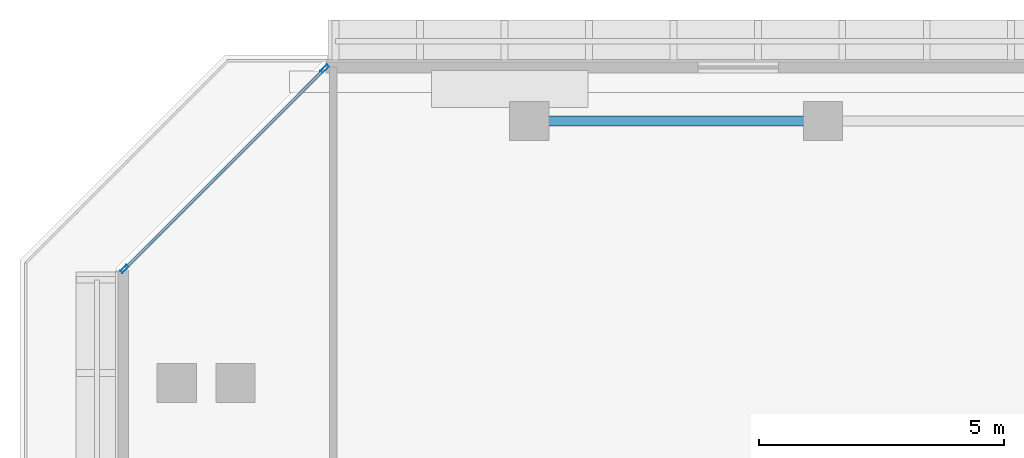
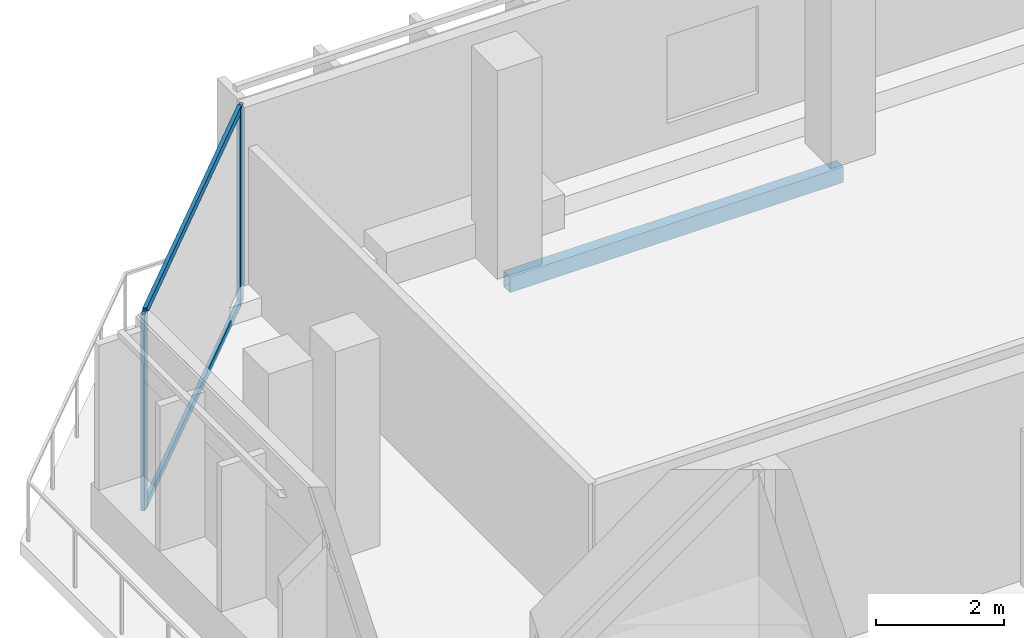
# One storey, part 10 of 26: 4 members, 1 beam, 1 element without a shape of its own.
"""IFC4 building model written with IfcOpenShell, lengths in metres."""

from ifc_helpers import new_model, si_unit, direction, frame, origin, origin_2d, place, context, subcontext, project, spatial, hollow_rectangle, extrude, material, layer, layer_set, material_profile, profile_set, type_object, element, aggregate, save


model = new_model("IFC4")

# Units and contexts
model_context = context("Model", 3, precision=1e-05, world=origin(), true_north=direction((0.0, 1.0)))
body_context = subcontext(model_context, "Body", "Model", "MODEL_VIEW")
ifc_project = project(units=[si_unit("LENGTHUNIT", "METRE"), si_unit("AREAUNIT", "SQUARE_METRE"), si_unit("VOLUMEUNIT", "CUBIC_METRE"), si_unit("PLANEANGLEUNIT", "RADIAN"), si_unit("MASSUNIT", "GRAM", prefix="KILO")], contexts=[model_context])

# Site, building, storey
site_placement = place(None, origin())
site = spatial("IfcSite", under=ifc_project, at=site_placement, CompositionType="ELEMENT")
building_placement = place(site_placement, origin())
building = spatial("IfcBuilding", under=site, at=building_placement, Name="Tanjung Sevakor Pilgrim Tower", CompositionType="ELEMENT")
storey_placement = place(building_placement, frame((0.0, 0.0, 177.8701171875)))
storey = spatial("IfcBuildingStorey", under=building, at=storey_placement, Name="L49", CompositionType="ELEMENT", Elevation=177.8701171875)

# Beam
ifc_material_1 = material(Name="Steel S355J2", Category="steel")
ifc_material_profile_1 = material_profile(ifc_material_1, hollow_rectangle(XDim=0.199951171875, YDim=0.300048828125, WallThickness=0.012451171875, at=origin_2d()))
ifc_profile_set_1 = profile_set([ifc_material_profile_1], Name="Steel S355J2")
beam_type = type_object("IfcBeamType", Name="BM-B-SP3-RHS_300x200x12.5", PredefinedType="SPANDREL", material=ifc_profile_set_1)
beam_placement = place(storey_placement, frame((30.0, 53.949951171875, -0.43017578125), z_axis=(1.0, 0.0, 0.0), x_axis=(0.0, 1.0, 0.0)))
element("IfcBeam", 1, at=beam_placement, inside=storey, type_object=beam_type, Name="L49 Spandrel MAIN N-02", PredefinedType="SPANDREL", context=body_context, shape_type="SweptSolid", body=[
    extrude(hollow_rectangle(XDim=0.199951171875, YDim=0.300048828125, WallThickness=0.012451171875, at=origin_2d()), origin(), (0.0, 0.0, 1.0), 6.0),
])

# Curtain wall, members
ifc_material_2 = material(Name="Aluminium 6063-T6 and Low-E Glass", Category="aluminium")
ifc_layer = layer(ifc_material_2, 0.179931640625)
ifc_layer_set = layer_set([ifc_layer], Name="CW-SYS-CHAM")
curtain_wall_type = type_object("IfcCurtainWallType", Name="CW-SYS-CHAM", PredefinedType="NOTDEFINED", material=ifc_layer_set)
curtain_wall_placement = place(storey_placement, origin())
curtain_wall = element("IfcCurtainWall", 2, at=curtain_wall_placement, inside=storey, type_object=curtain_wall_type, Name="L49 Curtain Wall CW-CHM-L49-MAIN-13", PredefinedType="NOTDEFINED")
ifc_material_3 = material(Name="Aluminium 6063-T6", Category="aluminium")
ifc_material_profile_2 = material_profile(ifc_material_3, hollow_rectangle(XDim=0.06494140625, YDim=0.179931640625, WallThickness=0.00390625, at=origin_2d()))
ifc_profile_set_2 = profile_set([ifc_material_profile_2], Name="Aluminium 6063-T6")
member_type_1 = type_object("IfcMemberType", Name="TYPE-CWM-1", PredefinedType="MULLION", material=ifc_profile_set_2)
member_1_placement = place(storey_placement, frame((25.822509765625, 55.01708984375, 0.0), z_axis=(0.0, 0.0, 1.0), x_axis=(0.707106781187, -0.707106781187, 0.0)))
member_1 = element("IfcMember", 3, at=member_1_placement, type_object=member_type_1, Name="CW-CHM mullion 1", PredefinedType="MULLION", context=body_context, shape_type="SweptSolid", body=[
    extrude(hollow_rectangle(XDim=0.06494140625, YDim=0.179931640625, WallThickness=0.00390625, at=origin_2d()), origin(), (0.0, 0.0, 1.0), 3.739990234375),
])
member_2_placement = place(storey_placement, frame((21.73291015625, 50.927490234375, 0.0), z_axis=(0.0, 0.0, 1.0), x_axis=(0.707106781187, -0.707106781187, 0.0)))
member_2 = element("IfcMember", 4, at=member_2_placement, type_object=member_type_1, Name="CW-CHM mullion 2", PredefinedType="MULLION", context=body_context, shape_type="SweptSolid", body=[
    extrude(hollow_rectangle(XDim=0.06494140625, YDim=0.179931640625, WallThickness=0.00390625, at=origin_2d()), origin(), (0.0, 0.0, 1.0), 3.739990234375),
])
ifc_material_4 = material(Name="Aluminium 6063-T6", Category="aluminium")
ifc_material_profile_3 = material_profile(ifc_material_4, hollow_rectangle(XDim=0.06494140625, YDim=0.139892578125, WallThickness=0.00390625, at=origin_2d()))
ifc_profile_set_3 = profile_set([ifc_material_profile_3], Name="Aluminium 6063-T6")
member_type_2 = type_object("IfcMemberType", Name="TYPE-CWT-1", PredefinedType="USERDEFINED", material=ifc_profile_set_3)
member_3_placement = place(storey_placement, frame((25.799560546875, 54.994140625, 0.032470703125), z_axis=(-0.707106781187, -0.707106781187, 0.0), x_axis=(0.707106781187, -0.707106781187, 0.0)))
member_3 = element("IfcMember", 5, at=member_3_placement, type_object=member_type_2, Name="CW-CHM transom 1.1", ObjectType="TRANSOM", PredefinedType="USERDEFINED", context=body_context, shape_type="SweptSolid", body=[
    extrude(hollow_rectangle(XDim=0.06494140625, YDim=0.139892578125, WallThickness=0.00390625, at=origin_2d()), origin(), (0.0, 0.0, 1.0), 5.71875),
])
member_4_placement = place(storey_placement, frame((25.799560546875, 54.994140625, 3.707275390625), z_axis=(-0.707106781187, -0.707106781187, 0.0), x_axis=(0.707106781187, -0.707106781187, 0.0)))
member_4 = element("IfcMember", 6, at=member_4_placement, type_object=member_type_2, Name="CW-CHM transom 1.2", ObjectType="TRANSOM", PredefinedType="USERDEFINED", context=body_context, shape_type="SweptSolid", body=[
    extrude(hollow_rectangle(XDim=0.06494140625, YDim=0.139892578125, WallThickness=0.00390625, at=origin_2d()), origin(), (0.0, 0.0, 1.0), 5.71875),
])
aggregate(curtain_wall, [member_1, member_2, member_3, member_4])

save(model, "model.ifc")
